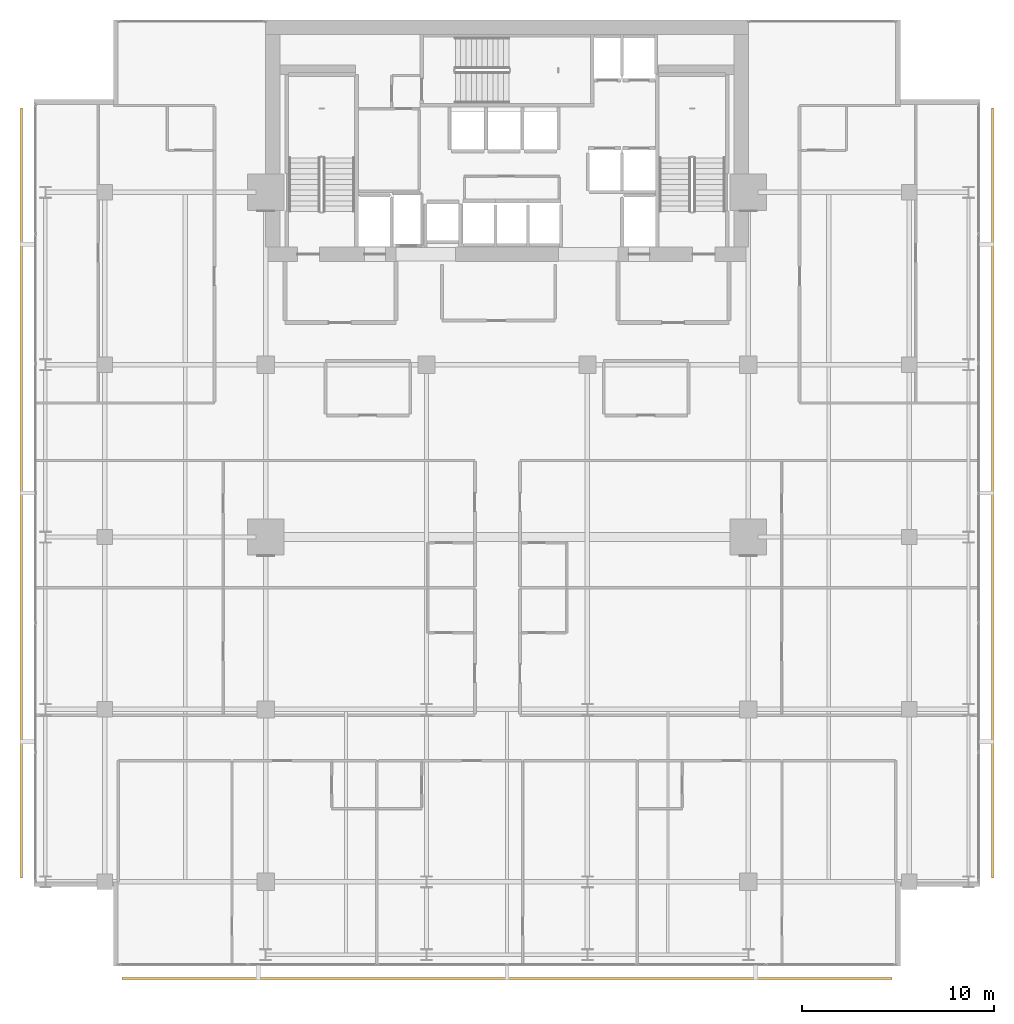
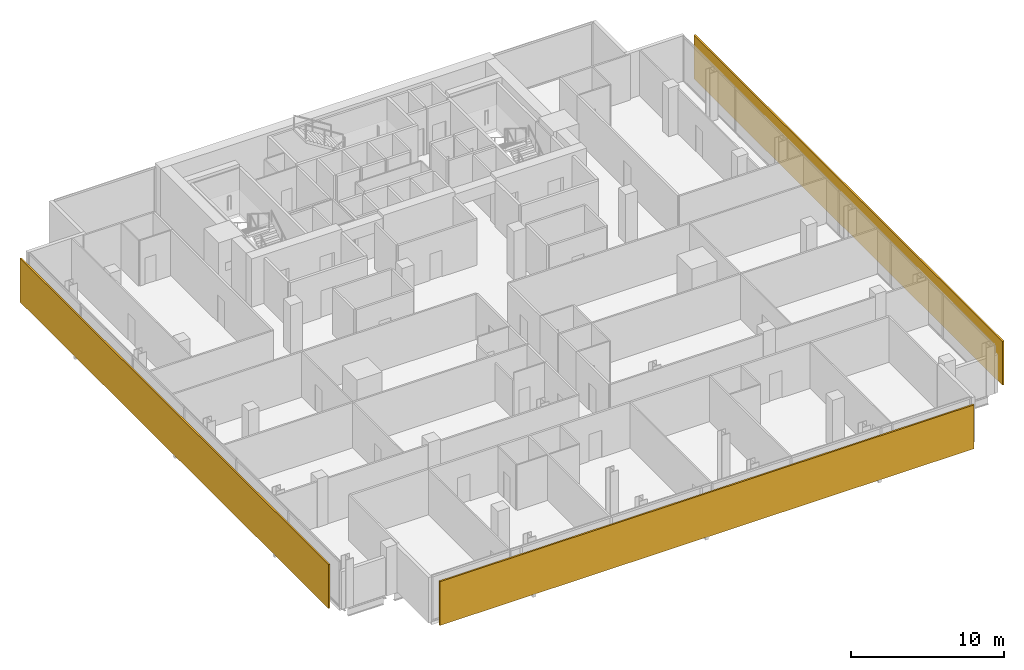
# One storey, part 31 of 32: 3 shading devices.
"""IFC4 building model written with IfcOpenShell, lengths in metres."""

from ifc_helpers import new_model, si_unit, direction, frame, origin, origin_2d, place, context, subcontext, project, spatial, rectangle, extrude, material, layer, layer_set, type_object, element, save


model = new_model("IFC4")

# Units and contexts
model_context = context("Model", 3, precision=1e-05, world=origin(), true_north=direction((0.0, 1.0)))
body_context = subcontext(model_context, "Body", "Model", "MODEL_VIEW")
ifc_project = project(units=[si_unit("LENGTHUNIT", "METRE"), si_unit("AREAUNIT", "SQUARE_METRE"), si_unit("VOLUMEUNIT", "CUBIC_METRE"), si_unit("PLANEANGLEUNIT", "RADIAN"), si_unit("MASSUNIT", "GRAM", prefix="KILO")], contexts=[model_context])

# Site, building, storey
site_placement = place(None, origin())
site = spatial("IfcSite", under=ifc_project, at=site_placement, CompositionType="ELEMENT")
building_placement = place(site_placement, origin())
building = spatial("IfcBuilding", under=site, at=building_placement, Name="Maruvema Waterfront Hotel and Observation Tower", CompositionType="ELEMENT")
storey_placement = place(building_placement, frame((0.0, 0.0, 162.050048828125)))
storey = spatial("IfcBuildingStorey", under=building, at=storey_placement, Name="L39", CompositionType="ELEMENT", Elevation=162.050048828125)

# Shading devices
ifc_material = material(Name="Honed travertine stone and anodised architectural bronze", Category="masonry")
ifc_layer = layer(ifc_material, 0.1201171875, Name="Ventilated Outer Skin Cobogo Stone-and-Bronze Screen 120 mm")
ifc_layer_set = layer_set([ifc_layer], Name="Honed travertine stone and anodised architectural bronze")
shading_device_type = type_object("IfcShadingDeviceType", Name="Ventilated Outer Skin Cobogo Stone-and-Bronze Screen 120 mm", PredefinedType="USERDEFINED", material=ifc_layer_set)
for number, where, z_axis, x_axis, name in (
    (1, (37.800048828125, 3.949951171875, 0.06005859375), (0.0, 0.0, 1.0), (1.0, 0.0, 0.0), "L39 Ventilated Double-Skin Outer Cobogo Screen OS-L39-S"),
    (2, (63.14990234375, 29.300048828125, 0.06005859375), (0.0, 0.0, 1.0), (0.0, 1.0, 0.0), "L39 Ventilated Double-Skin Outer Cobogo Screen OS-L39-E"),
    (3, (12.449951171875, 29.300048828125, 0.06005859375), (0.0, 0.0, 1.0), (0.0, -1.0, 0.0), "L39 Ventilated Double-Skin Outer Cobogo Screen OS-L39-W"),
):
    element("IfcShadingDevice", number, at=place(storey_placement, frame(where, z_axis=z_axis, x_axis=x_axis)), inside=storey, type_object=shading_device_type, Name=name, ObjectType="OUTER SKIN SCREEN", PredefinedType="USERDEFINED", context=body_context, shape_type="SweptSolid", body=[
        extrude(rectangle(XDim=40.199951171875, YDim=0.1201171875, at=origin_2d()), origin(), (0.0, 0.0, 1.0), 3.489990234375),
    ])

save(model, "model.ifc")
